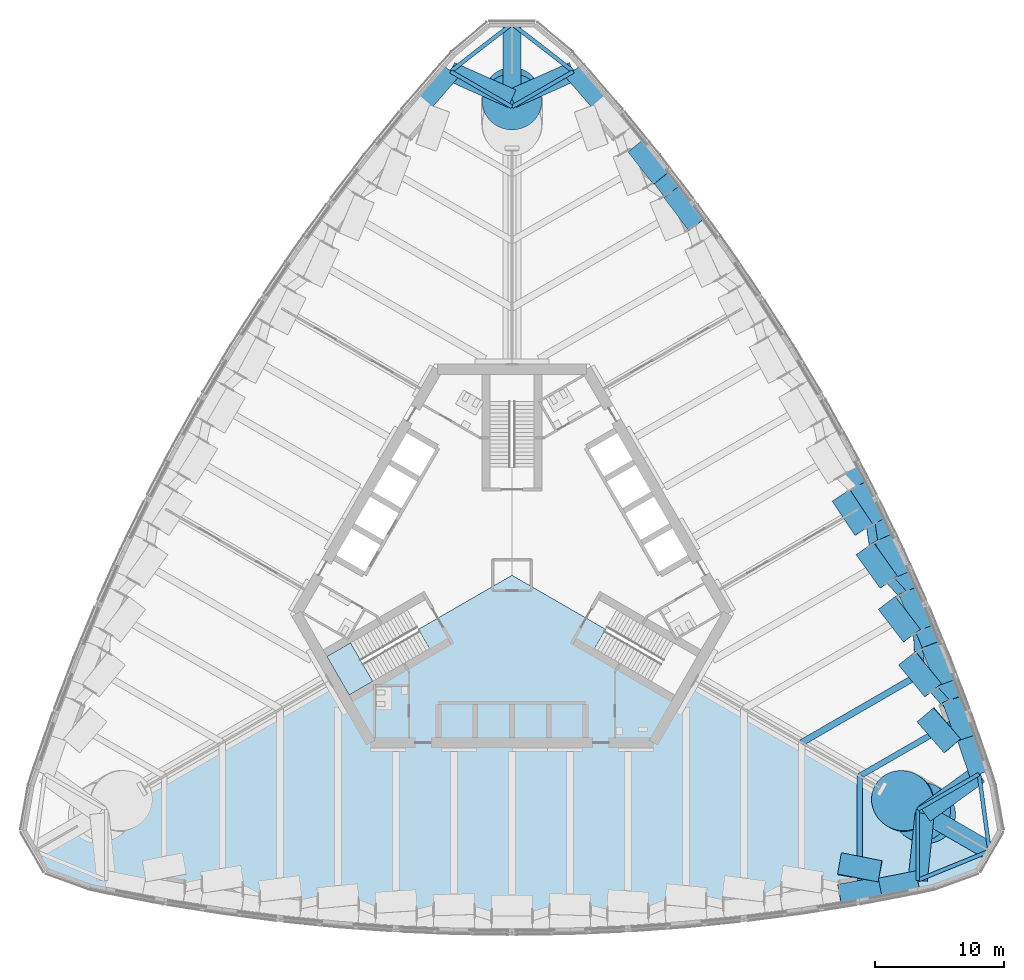
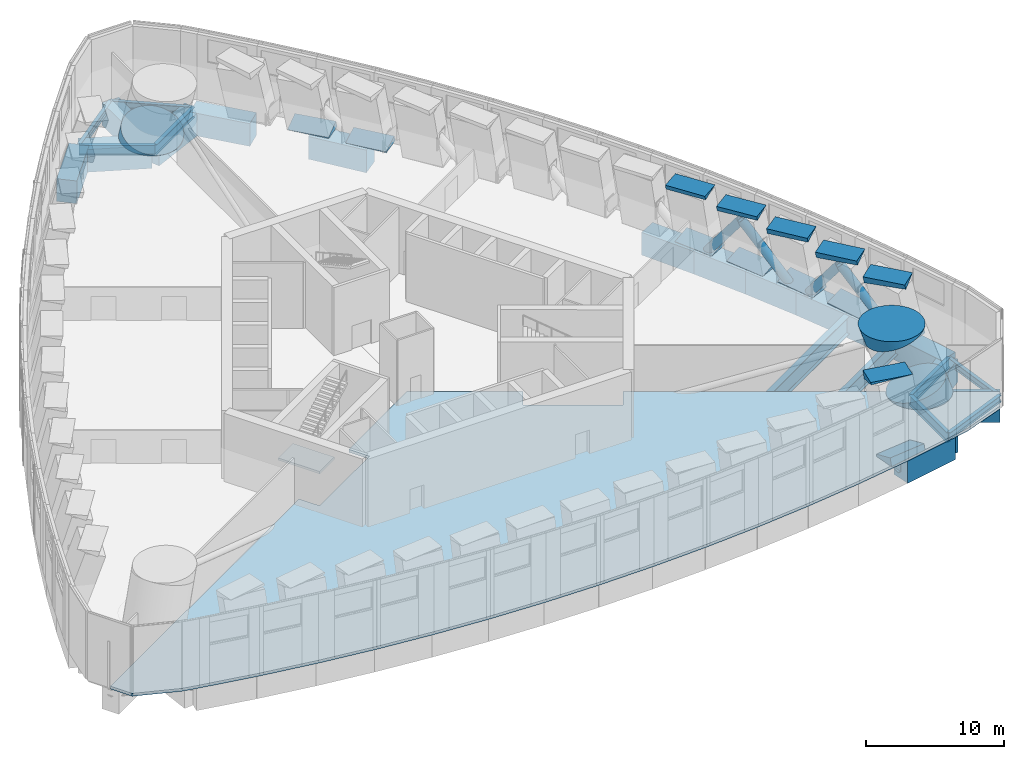
# One storey, part 6 of 28: 27 beams, 21 members, 2 slabs, 1 element without a shape of its own.
"""IFC4 building model written with IfcOpenShell, lengths in metres."""

from ifc_helpers import new_model, si_unit, direction, frame, origin, origin_2d, place, context, subcontext, project, spatial, polyline, rectangle, circle, hollow_circle, i_section, outline, extrude, clip, halfspace, material, layer, layer_set, material_profile, profile_set, type_object, element, aggregate, save


model = new_model("IFC4")

# Units and contexts
model_context = context("Model", 3, precision=1e-05, world=origin(), true_north=direction((0.0, 1.0)))
body_context = subcontext(model_context, "Body", "Model", "MODEL_VIEW")
ifc_project = project(units=[si_unit("LENGTHUNIT", "METRE"), si_unit("AREAUNIT", "SQUARE_METRE"), si_unit("VOLUMEUNIT", "CUBIC_METRE"), si_unit("PLANEANGLEUNIT", "RADIAN"), si_unit("MASSUNIT", "GRAM", prefix="KILO")], contexts=[model_context])

# Site, building, storey
site_placement = place(None, origin())
site = spatial("IfcSite", under=ifc_project, at=site_placement, CompositionType="ELEMENT")
building_placement = place(site_placement, origin())
building = spatial("IfcBuilding", under=site, at=building_placement, Name="Trefoil Bronze Tower", CompositionType="ELEMENT")
storey_placement = place(building_placement, frame((0.0, 0.0, 92.10009765625)))
storey = spatial("IfcBuildingStorey", under=building, at=storey_placement, Name="L21", CompositionType="ELEMENT", Elevation=92.10009765625)

# Members
ifc_material_1 = material(Name="Steel C355", Category="steel")
ifc_material_profile_1 = material_profile(ifc_material_1, hollow_circle(Radius=0.35546875, WallThickness=0.02490234375, at=origin_2d()), Name="CHS 711x25")
ifc_profile_set_1 = profile_set([ifc_material_profile_1], Name="Steel C355")
member_type_1 = type_object("IfcMemberType", Name="Belt truss diagonal CHS 711x25", PredefinedType="BRACE", material=ifc_profile_set_1)
member_1_placement = place(storey_placement, frame((34.7763671875, -11.0986328125, -1.25), z_axis=(-0.407027372094, 0.4484526431, 0.795750554673), x_axis=(-0.740479671866, -0.672078756957, 0.0)))
element("IfcMember", 1, at=member_1_placement, inside=storey, type_object=member_type_1, Name="Belt truss diagonal F2.1 L21", PredefinedType="BRACE", context=body_context, shape_type="SweptSolid", body=[
    extrude(hollow_circle(Radius=0.35546875, WallThickness=0.02490234375, at=origin_2d()), origin(), (0.0, 0.0, 1.0), 7.6025390625),
])
member_2_placement = place(storey_placement, frame((31.42578125, -2.640869140625, -1.25), z_axis=(0.032485523471, -0.640358107083, 0.76738920077), x_axis=(0.998715699521, 0.050665091827, 0.0)))
element("IfcMember", 2, at=member_2_placement, inside=storey, type_object=member_type_1, Name="Belt truss diagonal F2.2 L21", PredefinedType="BRACE", context=body_context, shape_type="SweptSolid", body=[
    extrude(hollow_circle(Radius=0.35546875, WallThickness=0.02490234375, at=origin_2d()), origin(), (0.0, 0.0, 1.0), 7.883544921875),
])
member_3_placement = place(storey_placement, frame((31.42578125, -2.640869140625, -1.25), z_axis=(-0.407752212872, 0.447952683029, 0.79566106268), x_axis=(-0.739510584202, -0.673144929308, 0.0)))
element("IfcMember", 3, at=member_3_placement, inside=storey, type_object=member_type_1, Name="Belt truss diagonal F2.3 L21", PredefinedType="BRACE", context=body_context, shape_type="SweptSolid", body=[
    extrude(hollow_circle(Radius=0.35546875, WallThickness=0.02490234375, at=origin_2d()), origin(), (0.0, 0.0, 1.0), 7.603515625),
])
member_4_placement = place(storey_placement, frame((27.61083984375, 5.548828125, -1.25), z_axis=(0.092258647009, -0.617600249229, 0.781062272936), x_axis=(0.989025770374, 0.147743106557, 0.0)))
element("IfcMember", 4, at=member_4_placement, inside=storey, type_object=member_type_1, Name="Belt truss diagonal F2.4 L21", PredefinedType="BRACE", context=body_context, shape_type="SweptSolid", body=[
    extrude(hollow_circle(Radius=0.35546875, WallThickness=0.02490234375, at=origin_2d()), origin(), (0.0, 0.0, 1.0), 7.74560546875),
])
ifc_material_2 = material(Name="Concrete B80", Category="concrete")
ifc_material_profile_2 = material_profile(ifc_material_2, rectangle(XDim=3.199951171875, YDim=1.60009765625, at=origin_2d()), Name="RC 3200x1600")
ifc_profile_set_2 = profile_set([ifc_material_profile_2], Name="Concrete B80")
member_type_2 = type_object("IfcMemberType", Name="Column node RC 3200x1600", PredefinedType="MEMBER", material=ifc_profile_set_2)
member_5_placement = place(storey_placement, frame((27.0, -24.670654296875, -0.326171875), z_axis=(0.0, 0.300327992537, 0.953835990566), x_axis=(0.982838110914, 0.175954297973, -0.05540155919)))
element("IfcMember", 5, at=member_5_placement, inside=storey, type_object=member_type_2, Name="Column node TC3216 L21 bottom", PredefinedType="MEMBER", context=body_context, shape_type="Clipping", body=[
    clip(extrude(rectangle(XDim=3.199951171875, YDim=1.60009765625, at=origin_2d()), origin(), (0.0, 0.0, 1.0), 0.68359375), halfspace(frame((0.0, 0.0, 0.341796875), z_axis=(-0.055401559189687546, -0.29517379683935485, 0.9538359905658786), x_axis=(0.0, 0.9553031889482043, 0.295627835606513)), True)),
])
member_6_placement = place(storey_placement, frame((27.0, -22.574462890625, 6.325927734375), z_axis=(0.0, -0.3006528384, -0.953733647704), x_axis=(-0.982838110914, 0.175935418767, -0.055461483565)))
element("IfcMember", 6, at=member_6_placement, inside=storey, type_object=member_type_2, Name="Column node TC3216 L21 top", PredefinedType="MEMBER", context=body_context, shape_type="Clipping", body=[
    clip(extrude(rectangle(XDim=3.199951171875, YDim=1.60009765625, at=origin_2d()), origin(), (0.0, 0.0, 1.0), 0.683837890625), halfspace(frame((0.0, 0.0, 0.341796875), z_axis=(0.05546148356491458, 0.2954930677338513, 0.9537336477036009), x_axis=(0.0, 0.9552038713352817, -0.2959485836865769)), True)),
])
member_7_placement = place(storey_placement, frame((13.482421875, 28.568603515625, -0.251220703125), z_axis=(-0.217851430786, -0.125629226825, 0.967862620144), x_axis=(-0.601255024827, 0.79842826559, -0.031697000283)))
element("IfcMember", 7, at=member_7_placement, inside=storey, type_object=member_type_2, Name="Column node TC3216 L21 bottom", PredefinedType="MEMBER", context=body_context, shape_type="Clipping", body=[
    clip(extrude(rectangle(XDim=3.199951171875, YDim=1.60009765625, at=origin_2d()), origin(), (0.0, 0.0, 1.0), 0.518798828125), halfspace(frame((0.0, 0.0, 0.259521484375), z_axis=(-0.03169700028319803, -0.249473943932226, 0.9678626201439683), x_axis=(0.0, 0.9683491925225559, 0.24959936165966823)), True)),
])
member_8_placement = place(storey_placement, frame((10.730224609375, 32.17578125, -0.285888671875), z_axis=(-0.236688947506, -0.136424879465, 0.961959767554), x_axis=(-0.623764817598, 0.780439657853, -0.042794775109)))
element("IfcMember", 8, at=member_8_placement, inside=storey, type_object=member_type_2, Name="Column node TC3216 L21 bottom", PredefinedType="MEMBER", context=body_context, shape_type="Clipping", body=[
    clip(extrude(rectangle(XDim=3.199951171875, YDim=1.60009765625, at=origin_2d()), origin(), (0.0, 0.0, 1.0), 0.59423828125), halfspace(frame((0.0, 0.0, 0.297119140625), z_axis=(-0.04279477510864147, -0.2698184812643756, 0.9619597675535015), x_axis=(0.0, 0.9628418423925306, 0.2700658929560658)), True)),
])
member_9_placement = place(storey_placement, frame((27.650146484375, 5.571533203125, -0.200439453125), z_axis=(-0.191942334907, -0.110530260968, 0.975162141124), x_axis=(-0.444391351545, 0.895722476105, 0.014056047536)))
element("IfcMember", 9, at=member_9_placement, inside=storey, type_object=member_type_2, Name="Column node TC3216 L21 bottom", PredefinedType="MEMBER", context=body_context, shape_type="Clipping", body=[
    clip(extrude(rectangle(XDim=3.199951171875, YDim=1.60009765625, at=origin_2d()), origin(), (0.0, 0.0, 1.0), 0.410888671875), halfspace(frame((0.0, 0.0, 0.205322265625), z_axis=(0.014056047535892303, -0.22104575555087874, 0.9751621411235211), x_axis=(0.0, 0.9752584879979466, 0.2210675950653084)), True)),
])
member_10_placement = place(storey_placement, frame((26.390869140625, 4.844482421875, 6.2001953125), z_axis=(0.191942334907, 0.110530260968, -0.975162141124), x_axis=(0.551647923135, -0.833958629926, 0.014056047536)))
element("IfcMember", 10, at=member_10_placement, inside=storey, type_object=member_type_2, Name="Column node TC3216 L21 top", PredefinedType="MEMBER", context=body_context, shape_type="Clipping", body=[
    clip(extrude(rectangle(XDim=3.199951171875, YDim=1.60009765625, at=origin_2d()), origin(), (0.0, 0.0, 1.0), 0.410888671875), halfspace(frame((0.0, 0.0, 0.205322265625), z_axis=(-0.014056047535892303, 0.22104575555087877, 0.9751621411235211), x_axis=(0.0, 0.9752584879979466, -0.22106759506530843)), True)),
])
member_11_placement = place(storey_placement, frame((29.622314453125, 1.513916015625, -0.222900390625), z_axis=(-0.20296568373, -0.11666531427, 0.97221095225), x_axis=(-0.416081119945, 0.90905591434, 0.022222651256)))
element("IfcMember", 11, at=member_11_placement, inside=storey, type_object=member_type_2, Name="Column node TC3216 L21 bottom", PredefinedType="MEMBER", context=body_context, shape_type="Clipping", body=[
    clip(extrude(rectangle(XDim=3.199951171875, YDim=1.60009765625, at=origin_2d()), origin(), (0.0, 0.0, 1.0), 0.458251953125), halfspace(frame((0.0, 0.0, 0.229248046875), z_axis=(0.02222265125561874, -0.23304938982294057, 0.9722109522497298), x_axis=(0.0, 0.9724511025575814, 0.23310695642675336)), True)),
])
member_12_placement = place(storey_placement, frame((28.27880859375, 0.73828125, 6.22265625), z_axis=(0.202953041845, 0.117190732824, -0.972150397287), x_axis=(0.577707991438, -0.815940297729, 0.022246509171)))
element("IfcMember", 12, at=member_12_placement, inside=storey, type_object=member_type_2, Name="Column node TC3216 L21 top", PredefinedType="MEMBER", context=body_context, shape_type="Clipping", body=[
    clip(extrude(rectangle(XDim=3.199951171875, YDim=1.60009765625, at=origin_2d()), origin(), (0.0, 0.0, 1.0), 0.458251953125), halfspace(frame((0.0, 0.0, 0.229248046875), z_axis=(-0.022246509171194372, 0.23329958826251437, 0.9721503972874965), x_axis=(0.0, 0.9723910487173858, -0.23335734051943327)), True)),
])
member_13_placement = place(storey_placement, frame((31.482421875, -2.608154296875, -0.251220703125), z_axis=(-0.217838530347, -0.126092281065, 0.967805306532), x_axis=(-0.391393829065, 0.919676251885, 0.031724789814)))
element("IfcMember", 13, at=member_13_placement, inside=storey, type_object=member_type_2, Name="Column node TC3216 L21 bottom", PredefinedType="MEMBER", context=body_context, shape_type="Clipping", body=[
    clip(extrude(rectangle(XDim=3.199951171875, YDim=1.60009765625, at=origin_2d()), origin(), (0.0, 0.0, 1.0), 0.518798828125), halfspace(frame((0.0, 0.0, 0.259521484375), z_axis=(0.031724789814395984, -0.24969266380748362, 0.9678053065322361), x_axis=(0.0, 0.9682927042456194, 0.2498184118609061)), True)),
])
member_14_placement = place(storey_placement, frame((30.02001953125, -3.452392578125, 6.2509765625), z_axis=(0.217851430786, 0.125629226825, -0.967862620144), x_axis=(0.601255024827, -0.79842826559, 0.031697000283)))
element("IfcMember", 14, at=member_14_placement, inside=storey, type_object=member_type_2, Name="Column node TC3216 L21 top", PredefinedType="MEMBER", context=body_context, shape_type="Clipping", body=[
    clip(extrude(rectangle(XDim=3.199951171875, YDim=1.60009765625, at=origin_2d()), origin(), (0.0, 0.0, 1.0), 0.518798828125), halfspace(frame((0.0, 0.0, 0.259521484375), z_axis=(-0.03169700028319803, 0.249473943932226, 0.9678626201439683), x_axis=(0.0, 0.9683491925225559, -0.24959936165966823)), True)),
])
member_15_placement = place(storey_placement, frame((33.230224609375, -6.795166015625, -0.285888671875), z_axis=(-0.236675659982, -0.136828115927, 0.961905763921), x_axis=(-0.363874774267, 0.930462899007, 0.042824551641)))
element("IfcMember", 15, at=member_15_placement, inside=storey, type_object=member_type_2, Name="Column node TC3216 L21 bottom", PredefinedType="MEMBER", context=body_context, shape_type="Clipping", body=[
    clip(extrude(rectangle(XDim=3.199951171875, YDim=1.60009765625, at=origin_2d()), origin(), (0.0, 0.0, 1.0), 0.59423828125), halfspace(frame((0.0, 0.0, 0.297119140625), z_axis=(0.04282455164087634, -0.2700062205078822, 0.9619057639206695), x_axis=(0.0, 0.9627890187829143, 0.27025414947976806)), True)),
])
member_16_placement = place(storey_placement, frame((31.611328125, -7.72998046875, 6.28564453125), z_axis=(0.237063482172, 0.136814799936, -0.961812152106), x_axis=(0.624174642962, -0.780107463044, 0.042876114394)))
element("IfcMember", 16, at=member_16_placement, inside=storey, type_object=member_type_2, Name="Column node TC3216 L21 top", PredefinedType="MEMBER", context=body_context, shape_type="Clipping", body=[
    clip(extrude(rectangle(XDim=3.199951171875, YDim=1.60009765625, at=origin_2d()), origin(), (0.0, 0.0, 1.0), 0.59423828125), halfspace(frame((0.0, 0.0, 0.297119140625), z_axis=(-0.04287611439357722, 0.2703313205601256, 0.9618121521059753), x_axis=(0.0, 0.9626974519829242, -0.2705801469908411)), True)),
])
member_17_placement = place(storey_placement, frame((34.865478515625, -11.04736328125, -0.326171875), z_axis=(-0.260308621735, -0.150329121743, 0.953750793765), x_axis=(-0.339159643021, 0.939093112179, 0.05545144907)))
element("IfcMember", 17, at=member_17_placement, inside=storey, type_object=member_type_2, Name="Column node TC3216 L21 bottom", PredefinedType="MEMBER", context=body_context, shape_type="Clipping", body=[
    clip(extrude(rectangle(XDim=3.199951171875, YDim=1.60009765625, at=origin_2d()), origin(), (0.0, 0.0, 1.0), 0.683837890625), halfspace(frame((0.0, 0.0, 0.341796875), z_axis=(0.055451449069781666, -0.29543960497809013, 0.9537507937645198), x_axis=(0.0, 0.9552205106288151, 0.29589487334867065)), True)),
])
member_18_placement = place(storey_placement, frame((33.050048828125, -12.095458984375, 6.325927734375), z_axis=(0.260308621735, 0.150329121743, -0.953750793765), x_axis=(0.643873994787, -0.76311952906, 0.05545144907)))
element("IfcMember", 18, at=member_18_placement, inside=storey, type_object=member_type_2, Name="Column node TC3216 L21 top", PredefinedType="MEMBER", context=body_context, shape_type="Clipping", body=[
    clip(extrude(rectangle(XDim=3.199951171875, YDim=1.60009765625, at=origin_2d()), origin(), (0.0, 0.0, 1.0), 0.683837890625), halfspace(frame((0.0, 0.0, 0.341796875), z_axis=(-0.055451449069781666, 0.29543960497809013, 0.9537507937645198), x_axis=(0.0, 0.9552205106288151, -0.29589487334867065)), True)),
])
ifc_material_3 = material(Name="Concrete B80", Category="concrete")
ifc_material_profile_3 = material_profile(ifc_material_3, circle(Radius=2.300048828125, at=origin_2d()), Name="RC D4600")
ifc_profile_set_3 = profile_set([ifc_material_profile_3], Name="Concrete B80")
member_type_3 = type_object("IfcMemberType", Name="Column node RC D4600", PredefinedType="MEMBER", material=ifc_profile_set_3)
member_19_placement = place(storey_placement, frame((32.253173828125, -18.621337890625, -0.728271484375), z_axis=(-0.273828881458, 0.158063825882, 0.94870099116), x_axis=(-0.499925626596, -0.866068339032, 0.0)))
element("IfcMember", 19, at=member_19_placement, inside=storey, type_object=member_type_3, Name="Column node MC46 L21 bottom", PredefinedType="MEMBER", context=body_context, shape_type="Clipping", body=[
    clip(extrude(circle(Radius=2.300048828125, at=origin_2d()), origin(), (0.0, 0.0, 1.0), 1.535400390625), halfspace(frame((0.0, 0.0, 0.767578125), z_axis=(0.0, 0.31617468173918134, 0.9487009911595579), x_axis=(0.0, 0.9487009911595579, -0.31617468173918134)), True)),
])
member_20_placement = place(storey_placement, frame((30.1005859375, -17.378662109375, 6.728271484375), z_axis=(0.273975966259, -0.158056941649, -0.94865967191), x_axis=(0.499707946392, 0.866193955366, 0.0)))
element("IfcMember", 20, at=member_20_placement, inside=storey, type_object=member_type_3, Name="Column node MC46 L21 top", PredefinedType="MEMBER", context=body_context, shape_type="Clipping", body=[
    clip(extrude(circle(Radius=2.300048828125, at=origin_2d()), origin(), (0.0, 0.0, 1.0), 1.535400390625), halfspace(frame((0.0, 0.0, 0.767822265625), z_axis=(0.0, -0.31629863561365157, 0.9486596719102918), x_axis=(0.0, 0.9486596719102918, 0.31629863561365157)), True)),
])
member_21_placement = place(storey_placement, frame((0.0, 37.24267578125, -0.728271484375), z_axis=(0.0, -0.316132352239, 0.948715097312), x_axis=(1.0, 0.0, 0.0)))
element("IfcMember", 21, at=member_21_placement, inside=storey, type_object=member_type_3, Name="Column node MC46 L21 bottom", PredefinedType="MEMBER", context=body_context, shape_type="Clipping", body=[
    clip(extrude(circle(Radius=2.300048828125, at=origin_2d()), origin(), (0.0, 0.0, 1.0), 1.535400390625), halfspace(frame((0.0, 0.0, 0.767578125), z_axis=(0.0, 0.3161323522387747, 0.9487150973121379), x_axis=(0.0, 0.9487150973121379, -0.3161323522387747)), True)),
])

# Beams
ifc_material_4 = material(Name="Concrete B80", Category="concrete")
ifc_material_profile_4 = material_profile(ifc_material_4, rectangle(XDim=1.39990234375, YDim=2.0, at=origin_2d()), Name="RC 1400x2000")
ifc_profile_set_4 = profile_set([ifc_material_profile_4], Name="Concrete B80")
beam_type_1 = type_object("IfcBeamType", Name="Corner cantilever RC 1400x2000", PredefinedType="BEAM", material=ifc_profile_set_4)
beam_1_placement = place(storey_placement, frame((32.04296875, -18.5, -1.25), z_axis=(0.866030348588, -0.499991435252, 0.0), x_axis=(0.499991435252, 0.866030348588, 0.0)))
element("IfcBeam", 22, at=beam_1_placement, inside=storey, type_object=beam_type_1, Name="Corner cantilever K1 L21", PredefinedType="BEAM", context=body_context, shape_type="SweptSolid", body=[
    extrude(rectangle(XDim=1.39990234375, YDim=2.0, at=origin_2d()), origin(), (0.0, 0.0, 1.0), 5.81396484375),
])
beam_2_placement = place(storey_placement, frame((0.0, 37.0, -1.25), z_axis=(0.0, 1.0, 0.0), x_axis=(-1.0, 0.0, 0.0)))
element("IfcBeam", 23, at=beam_2_placement, inside=storey, type_object=beam_type_1, Name="Corner cantilever K2 L21", PredefinedType="BEAM", context=body_context, shape_type="SweptSolid", body=[
    extrude(rectangle(XDim=1.39990234375, YDim=2.0, at=origin_2d()), origin(), (0.0, 0.0, 1.0), 5.814208984375),
])
ifc_material_5 = material(Name="Steel C355", Category="steel")
ifc_material_profile_5 = material_profile(ifc_material_5, i_section(OverallWidth=0.300048828125, OverallDepth=0.60009765625, WebThickness=0.015380859375, FlangeThickness=0.030029296875, FilletRadius=0.027099609375, at=origin_2d()), Name="HEB 600")
ifc_profile_set_5 = profile_set([ifc_material_profile_5], Name="Steel C355")
beam_type_2 = type_object("IfcBeamType", Name="Corner edge beam HEB 600", PredefinedType="BEAM", material=ifc_profile_set_5)
for number, where, z_axis, x_axis, name in (
    (24, (31.5, -23.684814453125, -0.550048828125), (0.925786874353, 0.378045848114, 0.0), (-0.378045848114, 0.925786874353, 0.0), "Corner edge beam F1A L21"),
    (25, (4.76171875, 39.122314453125, -0.550048828125), (-0.790289474622, 0.612733666696, 0.0), (-0.612733666696, -0.790289474622, 0.0), "Corner edge beam F2A L21"),
):
    element("IfcBeam", number, at=place(storey_placement, frame(where, z_axis=z_axis, x_axis=x_axis)), inside=storey, type_object=beam_type_2, Name=name, PredefinedType="BEAM", context=body_context, shape_type="SweptSolid", body=[
        extrude(i_section(OverallWidth=0.300048828125, OverallDepth=0.60009765625, WebThickness=0.015380859375, FlangeThickness=0.030029296875, FilletRadius=0.027099609375, at=origin_2d()), origin(), (0.0, 0.0, 1.0), 6.025390625),
    ])
beam_3_placement = place(storey_placement, frame((36.26171875, -15.4375, -0.550048828125), z_axis=(0.13550196505, -0.990777077585, 0.0), x_axis=(0.990777077585, 0.13550196505, 0.0)))
element("IfcBeam", 26, at=beam_3_placement, inside=storey, type_object=beam_type_2, Name="Corner edge beam F2B L21", PredefinedType="BEAM", context=body_context, shape_type="SweptSolid", body=[
    extrude(i_section(OverallWidth=0.300048828125, OverallDepth=0.60009765625, WebThickness=0.015380859375, FlangeThickness=0.030029296875, FilletRadius=0.027099609375, at=origin_2d()), origin(), (0.0, 0.0, 1.0), 6.025146484375),
])
beam_4_placement = place(storey_placement, frame((-4.76171875, 39.122314453125, -0.550048828125), z_axis=(0.790289474622, 0.612733666696, 0.0), x_axis=(-0.612733666696, 0.790289474622, 0.0)))
element("IfcBeam", 27, at=beam_4_placement, inside=storey, type_object=beam_type_2, Name="Corner edge beam F3B L21", PredefinedType="BEAM", context=body_context, shape_type="SweptSolid", body=[
    extrude(i_section(OverallWidth=0.300048828125, OverallDepth=0.60009765625, WebThickness=0.015380859375, FlangeThickness=0.030029296875, FilletRadius=0.027099609375, at=origin_2d()), origin(), (0.0, 0.0, 1.0), 6.025390625),
])
ifc_material_6 = material(Name="Concrete B80", Category="concrete")
ifc_material_profile_6 = material_profile(ifc_material_6, rectangle(XDim=1.5, YDim=2.0, at=origin_2d()), Name="RC 1500x2000")
ifc_profile_set_6 = profile_set([ifc_material_profile_6], Name="Concrete B80")
beam_type_3 = type_object("IfcBeamType", Name="End spandrel beam RC 1500x2000", PredefinedType="SPANDREL", material=ifc_profile_set_6)
for number, where, z_axis, x_axis, name in (
    (28, (31.5, -23.684814453125, -1.25), (0.104153327908, 0.994561252154, 0.0), (-0.994561252154, 0.104153327908, 0.0), "Spandrel F1.16 L21"),
    (29, (32.04296875, -18.5, -1.25), (0.809254211267, 0.587458612624, 0.0), (-0.587458612624, 0.809254211267, 0.0), "Spandrel F2.1 L21"),
):
    element("IfcBeam", number, at=place(storey_placement, frame(where, z_axis=z_axis, x_axis=x_axis)), inside=storey, type_object=beam_type_3, Name=name, PredefinedType="SPANDREL", context=body_context, shape_type="SweptSolid", body=[
        extrude(rectangle(XDim=1.5, YDim=2.0, at=origin_2d()), origin(), (0.0, 0.0, 1.0), 5.213134765625),
    ])
for number, where, z_axis, x_axis, name in (
    (30, (4.76171875, 39.122314453125, -1.25), (-0.913384257879, -0.407098510754, 0.0), (0.407098510754, -0.913384257879, 0.0), "Spandrel F2.16 L21"),
    (31, (0.0, 37.0, -1.25), (-0.913384257879, 0.407098510754, 0.0), (-0.407098510754, -0.913384257879, 0.0), "Spandrel F3.1 L21"),
):
    element("IfcBeam", number, at=place(storey_placement, frame(where, z_axis=z_axis, x_axis=x_axis)), inside=storey, type_object=beam_type_3, Name=name, PredefinedType="SPANDREL", context=body_context, shape_type="SweptSolid", body=[
        extrude(rectangle(XDim=1.5, YDim=2.0, at=origin_2d()), origin(), (0.0, 0.0, 1.0), 5.21337890625),
    ])
ifc_material_7 = material(Name="Steel C355", Category="steel")
ifc_material_profile_7 = material_profile(ifc_material_7, i_section(OverallWidth=0.300048828125, OverallDepth=0.89990234375, WebThickness=0.0185546875, FlangeThickness=0.034912109375, FilletRadius=0.030029296875, at=origin_2d()), Name="HEB 900")
ifc_profile_set_7 = profile_set([ifc_material_profile_7], Name="Steel C355")
beam_type_4 = type_object("IfcBeamType", Name="Floor beam HEB 900", PredefinedType="BEAM", material=ifc_profile_set_7)
for number, where, z_axis, x_axis, name in (
    (32, (31.5, -23.684814453125, -0.7001953125), (0.0, 1.0, 0.0), (-1.0, 0.0, 0.0), "Floor beam F1/+7 L21"),
    (33, (36.26171875, -15.4375, -0.7001953125), (-0.866037702141, -0.499978698016, 0.0), (0.499978698016, -0.866037702141, 0.0), "Floor beam F2/-7 L21"),
    (34, (4.76171875, 39.122314453125, -0.7001953125), (-0.866018475376, -0.500012000164, 0.0), (0.500012000164, -0.866018475376, 0.0), "Floor beam F2/+7 L21"),
    (35, (-4.76171875, 39.122314453125, -0.7001953125), (0.866018475376, -0.500012000164, 0.0), (0.500012000164, 0.866018475376, 0.0), "Floor beam F3/-7 L21"),
):
    element("IfcBeam", number, at=place(storey_placement, frame(where, z_axis=z_axis, x_axis=x_axis)), inside=storey, type_object=beam_type_4, Name=name, PredefinedType="BEAM", context=body_context, shape_type="SweptSolid", body=[
        extrude(i_section(OverallWidth=0.300048828125, OverallDepth=0.89990234375, WebThickness=0.0185546875, FlangeThickness=0.034912109375, FilletRadius=0.030029296875, at=origin_2d()), origin(), (0.0, 0.0, 1.0), 5.498291015625),
    ])
ifc_material_8 = material(Name="Steel C355", Category="steel")
ifc_material_profile_8 = material_profile(ifc_material_8, i_section(OverallWidth=0.449951171875, OverallDepth=1.39990234375, WebThickness=0.02294921875, FlangeThickness=0.044921875, FilletRadius=0.011962890625, at=origin_2d()), Name="WPG 1400")
ifc_profile_set_8 = profile_set([ifc_material_profile_8], Name="Steel C355")
beam_type_5 = type_object("IfcBeamType", Name="Floor beam WPG 1400", PredefinedType="BEAM", material=ifc_profile_set_8)
for number, where, z_axis, x_axis, name in (
    (36, (27.0, -24.56787109375, -0.9501953125), (0.0, 1.0, 0.0), (-1.0, 0.0, 0.0), "Floor beam F1/+6 L21"),
    (37, (34.7763671875, -11.0986328125, -0.9501953125), (-0.866022587327, -0.500004878216, 0.0), (0.500004878216, -0.866022587327, 0.0), "Floor beam F2/-6 L21"),
):
    element("IfcBeam", number, at=place(storey_placement, frame(where, z_axis=z_axis, x_axis=x_axis)), inside=storey, type_object=beam_type_5, Name=name, PredefinedType="BEAM", context=body_context, shape_type="SweptSolid", body=[
        extrude(i_section(OverallWidth=0.449951171875, OverallDepth=1.39990234375, WebThickness=0.02294921875, FlangeThickness=0.044921875, FilletRadius=0.011962890625, at=origin_2d()), origin(), (0.0, 0.0, 1.0), 8.9794921875),
    ])
ifc_material_9 = material(Name="Steel C355", Category="steel")
ifc_material_profile_9 = material_profile(ifc_material_9, i_section(OverallWidth=0.5, OverallDepth=1.60009765625, WebThickness=0.02587890625, FlangeThickness=0.050048828125, FilletRadius=0.011962890625, at=origin_2d()), Name="WPG 1600")
ifc_profile_set_9 = profile_set([ifc_material_profile_9], Name="Steel C355")
beam_type_6 = type_object("IfcBeamType", Name="Floor beam WPG 1600", PredefinedType="BEAM", material=ifc_profile_set_9)
beam_5_placement = place(storey_placement, frame((33.159912109375, -6.8359375, -1.050048828125), z_axis=(-0.866024070878, -0.500002308654, 0.0), x_axis=(0.500002308654, -0.866024070878, 0.0)))
element("IfcBeam", 38, at=beam_5_placement, inside=storey, type_object=beam_type_6, Name="Floor beam F2/-5 L21", PredefinedType="BEAM", context=body_context, shape_type="SweptSolid", body=[
    extrude(i_section(OverallWidth=0.5, OverallDepth=1.60009765625, WebThickness=0.02587890625, FlangeThickness=0.050048828125, FilletRadius=0.011962890625, at=origin_2d()), origin(), (0.0, 0.0, 1.0), 12.30908203125),
])
ifc_material_10 = material(Name="Concrete B80", Category="concrete")
ifc_material_profile_10 = material_profile(ifc_material_10, rectangle(XDim=1.5, YDim=2.0, at=origin_2d()), Name="RC 1500x2000")
ifc_profile_set_10 = profile_set([ifc_material_profile_10], Name="Concrete B80")
beam_type_7 = type_object("IfcBeamType", Name="Spandrel beam RC 1500x2000", PredefinedType="SPANDREL", material=ifc_profile_set_10)
beam_6_placement = place(storey_placement, frame((27.0, -24.56787109375, -1.25), z_axis=(0.981284764092, 0.192562228283, 0.0), x_axis=(-0.192562228283, 0.981284764092, 0.0)))
element("IfcBeam", 39, at=beam_6_placement, inside=storey, type_object=beam_type_7, Name="Spandrel F1.15 L21", PredefinedType="SPANDREL", context=body_context, shape_type="SweptSolid", body=[
    extrude(rectangle(XDim=1.5, YDim=2.0, at=origin_2d()), origin(), (0.0, 0.0, 1.0), 4.5859375),
])
beam_7_placement = place(storey_placement, frame((36.26171875, -15.4375, -1.25), z_axis=(-0.323883319148, 0.946097032855, 0.0), x_axis=(-0.946097032855, -0.323883319148, 0.0)))
element("IfcBeam", 40, at=beam_7_placement, inside=storey, type_object=beam_type_7, Name="Spandrel F2.2 L21", PredefinedType="SPANDREL", context=body_context, shape_type="SweptSolid", body=[
    extrude(rectangle(XDim=1.5, YDim=2.0, at=origin_2d()), origin(), (0.0, 0.0, 1.0), 4.586181640625),
])
beam_8_placement = place(storey_placement, frame((34.7763671875, -11.0986328125, -1.25), z_axis=(-0.354571899767, 0.935028752443, 0.0), x_axis=(-0.935028752443, -0.354571899767, 0.0)))
element("IfcBeam", 41, at=beam_8_placement, inside=storey, type_object=beam_type_7, Name="Spandrel F2.3 L21", PredefinedType="SPANDREL", context=body_context, shape_type="SweptSolid", body=[
    extrude(rectangle(XDim=1.5, YDim=2.0, at=origin_2d()), origin(), (0.0, 0.0, 1.0), 4.558837890625),
])
beam_9_placement = place(storey_placement, frame((33.159912109375, -6.8359375, -1.25), z_axis=(-0.382020825144, 0.924153715113, 0.0), x_axis=(-0.924153715113, -0.382020825144, 0.0)))
element("IfcBeam", 42, at=beam_9_placement, inside=storey, type_object=beam_type_7, Name="Spandrel F2.4 L21", PredefinedType="SPANDREL", context=body_context, shape_type="SweptSolid", body=[
    extrude(rectangle(XDim=1.5, YDim=2.0, at=origin_2d()), origin(), (0.0, 0.0, 1.0), 4.539306640625),
])
beam_10_placement = place(storey_placement, frame((31.42578125, -2.640869140625, -1.25), z_axis=(-0.408945873044, 0.912558640812, 0.0), x_axis=(-0.912558640812, -0.408945873044, 0.0)))
element("IfcBeam", 43, at=beam_10_placement, inside=storey, type_object=beam_type_7, Name="Spandrel F2.5 L21", PredefinedType="SPANDREL", context=body_context, shape_type="SweptSolid", body=[
    extrude(rectangle(XDim=1.5, YDim=2.0, at=origin_2d()), origin(), (0.0, 0.0, 1.0), 4.5234375),
])
beam_11_placement = place(storey_placement, frame((29.575927734375, 1.487060546875, -1.25), z_axis=(-0.435510013583, 0.900183885697, 0.0), x_axis=(-0.900183885697, -0.435510013583, 0.0)))
element("IfcBeam", 44, at=beam_11_placement, inside=storey, type_object=beam_type_7, Name="Spandrel F2.6 L21", PredefinedType="SPANDREL", context=body_context, shape_type="SweptSolid", body=[
    extrude(rectangle(XDim=1.5, YDim=2.0, at=origin_2d()), origin(), (0.0, 0.0, 1.0), 4.51220703125),
])
beam_12_placement = place(storey_placement, frame((27.61083984375, 5.548828125, -1.25), z_axis=(-0.461637716615, 0.887068553495, 0.0), x_axis=(-0.887068553495, -0.461637716615, 0.0)))
element("IfcBeam", 45, at=beam_12_placement, inside=storey, type_object=beam_type_7, Name="Spandrel F2.7 L21", PredefinedType="SPANDREL", context=body_context, shape_type="SweptSolid", body=[
    extrude(rectangle(XDim=1.5, YDim=2.0, at=origin_2d()), origin(), (0.0, 0.0, 1.0), 4.50439453125),
])
beam_13_placement = place(storey_placement, frame((13.42578125, 28.5361328125, -1.25), z_axis=(-0.609338992146, 0.792909826305, 0.0), x_axis=(-0.792909826305, -0.609338992146, 0.0)))
element("IfcBeam", 46, at=beam_13_placement, inside=storey, type_object=beam_type_7, Name="Spandrel F2.13 L21", PredefinedType="SPANDREL", context=body_context, shape_type="SweptSolid", body=[
    extrude(rectangle(XDim=1.5, YDim=2.0, at=origin_2d()), origin(), (0.0, 0.0, 1.0), 4.5390625),
])
for number, where, z_axis, x_axis, name in (
    (47, (7.7763671875, 35.666748046875, -1.25), (-0.657395767989, 0.753545489158, 0.0), (-0.753545489158, -0.657395767989, 0.0), "Spandrel F2.15 L21"),
    (48, (-4.76171875, 39.122314453125, -1.25), (-0.657395767989, -0.753545489158, 0.0), (0.753545489158, -0.657395767989, 0.0), "Spandrel F3.2 L21"),
):
    element("IfcBeam", number, at=place(storey_placement, frame(where, z_axis=z_axis, x_axis=x_axis)), inside=storey, type_object=beam_type_7, Name=name, PredefinedType="SPANDREL", context=body_context, shape_type="SweptSolid", body=[
        extrude(rectangle(XDim=1.5, YDim=2.0, at=origin_2d()), origin(), (0.0, 0.0, 1.0), 4.585693359375),
    ])

# Slab
ifc_material_11 = material(Name="Concrete B30", Category="concrete")
ifc_layer_1 = layer(ifc_material_11, 0.25)
ifc_layer_set_1 = layer_set([ifc_layer_1], Name="Floor slab 250")
slab_type_1 = type_object("IfcSlabType", Name="Floor slab 250", PredefinedType="FLOOR", material=ifc_layer_set_1)
slab_1_placement = place(storey_placement, frame((0.0, 0.0, -0.25)))
element("IfcSlab", 49, at=slab_1_placement, inside=storey, type_object=slab_type_1, Name="Floor slab L21 face 1", PredefinedType="FLOOR", context=body_context, shape_type="SweptSolid", body=[
    extrude(outline(polyline([(27.0, -25.38037109375), (22.5, -26.10791015625), (18.0, -26.70068359375), (13.5, -27.159912109375), (9.0, -27.4873046875), (4.5, -27.683349609375), (0.0, -27.748779296875), (-4.5, -27.683349609375), (-9.0, -27.4873046875), (-13.5, -27.159912109375), (-18.0, -26.70068359375), (-22.5, -26.10791015625), (-27.0, -25.38037109375), (-31.5, -24.51611328125), (-32.762451171875, -24.248779296875), (-36.190673828125, -23.0009765625), (-37.1025390625, -21.421142578125), (-13.510009765625, -7.800048828125), (-12.6474609375, -9.2939453125), (-6.412109375, -5.69384765625), (-7.274658203125, -4.199951171875), (0.0, 0.0), (7.274658203125, -4.199951171875), (6.412109375, -5.69384765625), (12.6474609375, -9.2939453125), (13.510009765625, -7.800048828125), (37.1025390625, -21.421142578125), (36.190673828125, -23.0009765625), (32.762451171875, -24.248779296875), (31.5, -24.51611328125), (27.0, -25.38037109375)])), origin(), (0.0, 0.0, 1.0), 0.25),
])

# Stair, slab
ifc_material_12 = material(Name="Precast concrete B80", Category="concrete")
stair_type = type_object("IfcStairType", Name="Exit stair 36 risers", PredefinedType="HALF_TURN_STAIR", material=ifc_material_12)
stair_placement = place(storey_placement, origin())
stair = element("IfcStair", 50, at=stair_placement, inside=storey, type_object=stair_type, Name="Stair ST3 L21", PredefinedType="HALF_TURN_STAIR")
ifc_material_13 = material(Name="Concrete B30", Category="concrete")
ifc_layer_2 = layer(ifc_material_13, 0.199951171875)
ifc_layer_set_2 = layer_set([ifc_layer_2], Name="Stair landing 200")
slab_type_2 = type_object("IfcSlabType", Name="Stair landing 200", PredefinedType="LANDING", material=ifc_layer_set_2)
slab_2_placement = place(storey_placement, frame((0.0, 0.0, 2.7998046875)))
slab_2 = element("IfcSlab", 51, at=slab_2_placement, type_object=slab_type_2, Name="ST3 landing 1", PredefinedType="LANDING", context=body_context, shape_type="SweptSolid", body=[
    extrude(outline(polyline([(-12.53662109375, -5.24609375), (-14.37255859375, -6.30615234375), (-12.6474609375, -9.2939453125), (-10.8115234375, -8.23388671875), (-12.53662109375, -5.24609375)])), origin(), (0.0, 0.0, 1.0), 0.2001953125),
])
aggregate(stair, [slab_2])

save(model, "model.ifc")
